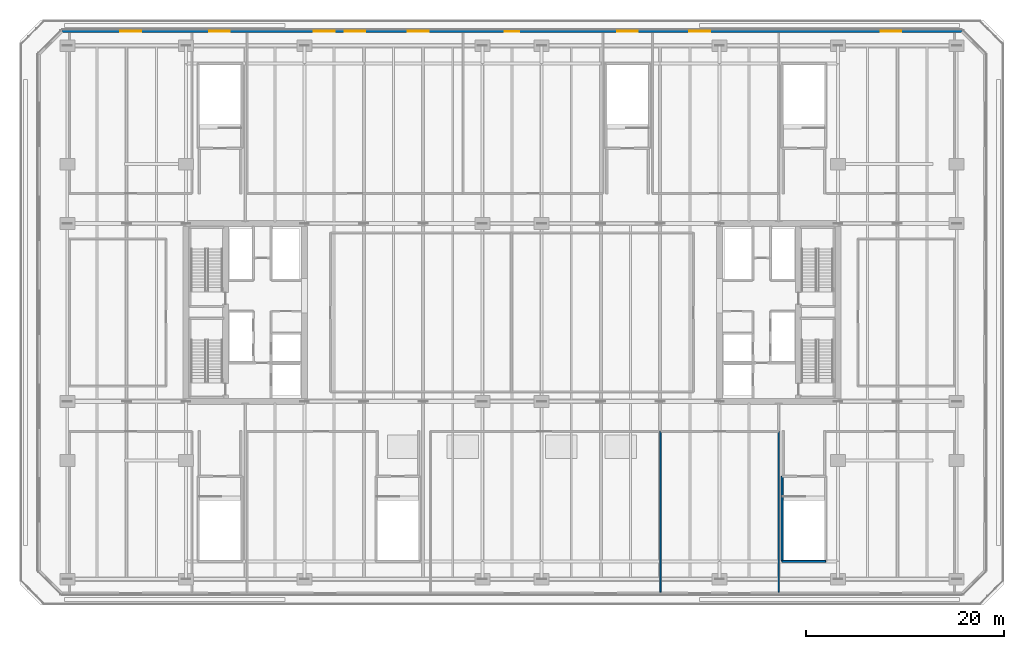
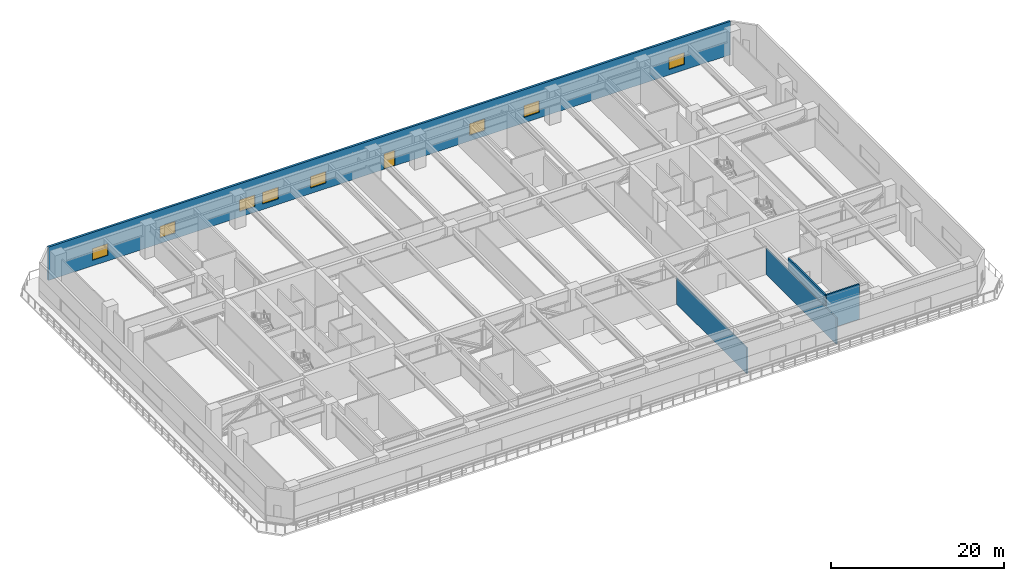
# One storey, part 13 of 25: 8 windows, 5 walls, 1 door, 9 openings.
"""IFC4 building model written with IfcOpenShell, lengths in metres."""

from ifc_helpers import new_model, si_unit, direction, frame, frame_2d, origin, place, context, subcontext, project, spatial, rectangle, extrude, material, layer, layer_set, type_object, element, fill, save


model = new_model("IFC4")

# Units and contexts
model_context = context("Model", 3, precision=1e-05, world=origin(), true_north=direction((0.0, 1.0)))
body_context = subcontext(model_context, "Body", "Model", "MODEL_VIEW")
ifc_project = project(units=[si_unit("LENGTHUNIT", "METRE"), si_unit("AREAUNIT", "SQUARE_METRE"), si_unit("VOLUMEUNIT", "CUBIC_METRE"), si_unit("PLANEANGLEUNIT", "RADIAN"), si_unit("MASSUNIT", "GRAM", prefix="KILO")], contexts=[model_context])

# Site, building, storey
site_placement = place(None, origin())
site = spatial("IfcSite", under=ifc_project, at=site_placement, CompositionType="ELEMENT")
building_placement = place(site_placement, origin())
building = spatial("IfcBuilding", under=site, at=building_placement, Name="Tanjung Sevakor Pilgrim Tower", CompositionType="ELEMENT")
storey_placement = place(building_placement, frame((0.0, 0.0, 24.090087890625)))
storey = spatial("IfcBuildingStorey", under=building, at=storey_placement, Name="L06", CompositionType="ELEMENT", Elevation=24.090087890625)

# Walls
ifc_material_1 = material(Name="Concrete C40/50", Category="concrete")
ifc_layer_1 = layer(ifc_material_1, 0.14990234375)
ifc_layer_set_1 = layer_set([ifc_layer_1], Name="WT-COMP-150")
wall_type_1 = type_object("IfcWallType", Name="WT-COMP-150", PredefinedType="SOLIDWALL", material=ifc_layer_set_1)
for number, where, z_axis, x_axis, name in (
    (1, (72.050048828125, 5.280029296875, 0.0), (0.0, 0.0, 1.0), (0.0, 1.0, 0.0), "L06 Partition IW-L06-043"),
    (2, (84.0, 5.280029296875, 0.0), (0.0, 0.0, 1.0), (0.0, 1.0, 0.0), "L06 Partition IW-L06-045"),
):
    element("IfcWall", number, at=place(storey_placement, frame(where, z_axis=z_axis, x_axis=x_axis)), inside=storey, type_object=wall_type_1, Name=name, PredefinedType="SOLIDWALL", context=body_context, shape_type="SweptSolid", body=[
        extrude(rectangle(XDim=16.27001953125, YDim=0.14990234375, at=frame_2d((8.135009765625, 0.0))), origin(), (0.0, 0.0, 1.0), 3.68701171875),
    ])

# Wall, openings, door, windows
ifc_material_2 = material(Name="Precast concrete C45/55", Category="concrete")
ifc_layer_2 = layer(ifc_material_2, 0.280029296875)
ifc_layer_set_2 = layer_set([ifc_layer_2], Name="WT-EW-STN2")
wall_type_2 = type_object("IfcWallType", Name="WT-EW-STN2", PredefinedType="SOLIDWALL", material=ifc_layer_set_2)
wall_1_placement = place(storey_placement, frame((102.5419921875, 62.06005859375, 0.0), z_axis=(0.0, 0.0, 1.0), x_axis=(-1.0, 0.0, 0.0)))
wall_1 = element("IfcWall", 3, at=wall_1_placement, inside=storey, type_object=wall_type_2, Name="L06 MAIN Exterior Wall 5", PredefinedType="SOLIDWALL", context=body_context, shape_type="SweptSolid", body=[
    extrude(rectangle(XDim=91.083984375, YDim=0.280029296875, at=frame_2d((45.5419921875, 0.0))), origin(), (0.0, 0.0, 1.0), 4.7099609375),
])
opening_1_placement = place(wall_1_placement, frame((44.7919921875, 0.0, 0.0)))
opening_1 = element("IfcOpeningElement", 4, at=opening_1_placement, cuts=wall_1, Name="Opening ED-TER-1500", PredefinedType="OPENING", context=body_context, shape_type="SweptSolid", body=[
    extrude(rectangle(XDim=1.5, YDim=2.199951171875, at=frame_2d((0.75, 1.10009765625))), frame((0.0, 0.14990234375, 0.0), z_axis=(0.0, -1.0, 0.0), x_axis=(1.0, 0.0, 0.0)), (0.0, 0.0, 1.0), 0.300048828125),
])
opening_2_placement = place(wall_1_placement, frame((60.39208984375, 0.0, 0.780029296875)))
opening_2 = element("IfcOpeningElement", 5, at=opening_2_placement, cuts=wall_1, Name="Opening WN-P2-1660", PredefinedType="OPENING", context=body_context, shape_type="SweptSolid", body=[
    extrude(rectangle(XDim=2.10009765625, YDim=1.659912109375, at=frame_2d((1.050048828125, 0.830078125))), frame((0.0, 0.14990234375, 0.0), z_axis=(0.0, -1.0, 0.0), x_axis=(1.0, 0.0, 0.0)), (0.0, 0.0, 1.0), 0.300048828125),
])
opening_3_placement = place(wall_1_placement, frame((25.491943359375, 0.0, 0.780029296875)))
opening_3 = element("IfcOpeningElement", 6, at=opening_3_placement, cuts=wall_1, Name="Opening WN-P2-1660", PredefinedType="OPENING", context=body_context, shape_type="SweptSolid", body=[
    extrude(rectangle(XDim=2.10009765625, YDim=1.659912109375, at=frame_2d((1.050048828125, 0.830078125))), frame((0.0, 0.14990234375, 0.0), z_axis=(0.0, -1.0, 0.0), x_axis=(1.0, 0.0, 0.0)), (0.0, 0.0, 1.0), 0.300048828125),
])
opening_4_placement = place(wall_1_placement, frame((83.092041015625, 0.0, 0.780029296875)))
opening_4 = element("IfcOpeningElement", 7, at=opening_4_placement, cuts=wall_1, Name="Opening WN-P2-1660", PredefinedType="OPENING", context=body_context, shape_type="SweptSolid", body=[
    extrude(rectangle(XDim=2.10009765625, YDim=1.659912109375, at=frame_2d((1.050048828125, 0.830078125))), frame((0.0, 0.14990234375, 0.0), z_axis=(0.0, -1.0, 0.0), x_axis=(1.0, 0.0, 0.0)), (0.0, 0.0, 1.0), 0.300048828125),
])
opening_5_placement = place(wall_1_placement, frame((6.14208984375, 0.0, 0.780029296875)))
opening_5 = element("IfcOpeningElement", 8, at=opening_5_placement, cuts=wall_1, Name="Opening WN-P2-1660", PredefinedType="OPENING", context=body_context, shape_type="SweptSolid", body=[
    extrude(rectangle(XDim=2.10009765625, YDim=1.659912109375, at=frame_2d((1.050048828125, 0.830078125))), frame((0.0, 0.14990234375, 0.0), z_axis=(0.0, -1.0, 0.0), x_axis=(1.0, 0.0, 0.0)), (0.0, 0.0, 1.0), 0.300048828125),
])
opening_6_placement = place(wall_1_placement, frame((32.7919921875, 0.0, 0.780029296875)))
opening_6 = element("IfcOpeningElement", 9, at=opening_6_placement, cuts=wall_1, Name="Opening WN-P2-1660", PredefinedType="OPENING", context=body_context, shape_type="SweptSolid", body=[
    extrude(rectangle(XDim=2.10009765625, YDim=1.659912109375, at=frame_2d((1.050048828125, 0.830078125))), frame((0.0, 0.14990234375, 0.0), z_axis=(0.0, -1.0, 0.0), x_axis=(1.0, 0.0, 0.0)), (0.0, 0.0, 1.0), 0.300048828125),
])
opening_7_placement = place(wall_1_placement, frame((74.092041015625, 0.0, 0.780029296875)))
opening_7 = element("IfcOpeningElement", 10, at=opening_7_placement, cuts=wall_1, Name="Opening WN-P2-1660", PredefinedType="OPENING", context=body_context, shape_type="SweptSolid", body=[
    extrude(rectangle(XDim=2.10009765625, YDim=1.659912109375, at=frame_2d((1.050048828125, 0.830078125))), frame((0.0, 0.14990234375, 0.0), z_axis=(0.0, -1.0, 0.0), x_axis=(1.0, 0.0, 0.0)), (0.0, 0.0, 1.0), 0.300048828125),
])
opening_8_placement = place(wall_1_placement, frame((53.991943359375, 0.0, 0.780029296875)))
opening_8 = element("IfcOpeningElement", 11, at=opening_8_placement, cuts=wall_1, Name="Opening WN-P2-1660", PredefinedType="OPENING", context=body_context, shape_type="SweptSolid", body=[
    extrude(rectangle(XDim=2.10009765625, YDim=1.659912109375, at=frame_2d((1.050048828125, 0.830078125))), frame((0.0, 0.14990234375, 0.0), z_axis=(0.0, -1.0, 0.0), x_axis=(1.0, 0.0, 0.0)), (0.0, 0.0, 1.0), 0.300048828125),
])
opening_9_placement = place(wall_1_placement, frame((63.491943359375, 0.0, 0.780029296875)))
opening_9 = element("IfcOpeningElement", 12, at=opening_9_placement, cuts=wall_1, Name="Opening WN-P2-1660", PredefinedType="OPENING", context=body_context, shape_type="SweptSolid", body=[
    extrude(rectangle(XDim=2.10009765625, YDim=1.659912109375, at=frame_2d((1.050048828125, 0.830078125))), frame((0.0, 0.14990234375, 0.0), z_axis=(0.0, -1.0, 0.0), x_axis=(1.0, 0.0, 0.0)), (0.0, 0.0, 1.0), 0.300048828125),
])
ifc_material_3 = material(Name="Anodised Aluminium and Laminated Glass", Category="aluminium")
door_type = type_object("IfcDoorType", Name="DTYP-ED-TER-1500", OperationType="DOUBLE_DOOR_SINGLE_SWING", PredefinedType="DOOR", material=ifc_material_3)
door_placement = place(opening_1_placement, frame((1.5, 0.0, 0.0), z_axis=(0.0, 0.0, 1.0), x_axis=(-1.0, 0.0, 0.0)))
door = element("IfcDoor", 13, at=door_placement, inside=storey, type_object=door_type, Name="L06 Cascade Terrace Door N", OperationType="SINGLE_SWING_LEFT", OverallHeight=2.199951171875, OverallWidth=1.5, PredefinedType="DOOR", context=body_context, shape_type="SweptSolid", body=[
    extrude(rectangle(XDim=1.5, YDim=2.199951171875, at=frame_2d((0.75, 1.10009765625))), frame((0.0, 0.02490234375, 0.0), z_axis=(0.0, -1.0, 0.0), x_axis=(1.0, 0.0, 0.0)), (0.0, 0.0, 1.0), 0.050048828125),
])
fill(opening_1, door)
ifc_material_4 = material(Name="Thermally Broken Aluminium and Low-E Glass", Category="aluminium")
window_type = type_object("IfcWindowType", Name="WTYP-WN-P2-1660", PartitioningType="DOUBLE_PANEL_VERTICAL", PredefinedType="WINDOW", material=ifc_material_4)
window_1_placement = place(opening_2_placement, origin())
window_1 = element("IfcWindow", 14, at=window_1_placement, inside=storey, type_object=window_type, Name="L06 Facade Window 01", OverallHeight=1.659912109375, OverallWidth=2.10009765625, PartitioningType="SINGLE_PANEL", PredefinedType="WINDOW", context=body_context, shape_type="SweptSolid", body=[
    extrude(rectangle(XDim=2.10009765625, YDim=1.659912109375, at=frame_2d((1.050048828125, 0.830078125))), frame((0.0, 0.030029296875, 0.0), z_axis=(0.0, -1.0, 0.0), x_axis=(1.0, 0.0, 0.0)), (0.0, 0.0, 1.0), 0.06005859375),
])
fill(opening_2, window_1)
window_2_placement = place(opening_3_placement, origin())
window_2 = element("IfcWindow", 15, at=window_2_placement, inside=storey, type_object=window_type, Name="L06 Facade Window 02", OverallHeight=1.659912109375, OverallWidth=2.10009765625, PartitioningType="SINGLE_PANEL", PredefinedType="WINDOW", context=body_context, shape_type="SweptSolid", body=[
    extrude(rectangle(XDim=2.10009765625, YDim=1.659912109375, at=frame_2d((1.050048828125, 0.830078125))), frame((0.0, 0.030029296875, 0.0), z_axis=(0.0, -1.0, 0.0), x_axis=(1.0, 0.0, 0.0)), (0.0, 0.0, 1.0), 0.06005859375),
])
fill(opening_3, window_2)
window_3_placement = place(opening_4_placement, origin())
window_3 = element("IfcWindow", 16, at=window_3_placement, inside=storey, type_object=window_type, Name="L06 Facade Window 03", OverallHeight=1.659912109375, OverallWidth=2.10009765625, PartitioningType="SINGLE_PANEL", PredefinedType="WINDOW", context=body_context, shape_type="SweptSolid", body=[
    extrude(rectangle(XDim=2.10009765625, YDim=1.659912109375, at=frame_2d((1.050048828125, 0.830078125))), frame((0.0, 0.030029296875, 0.0), z_axis=(0.0, -1.0, 0.0), x_axis=(1.0, 0.0, 0.0)), (0.0, 0.0, 1.0), 0.06005859375),
])
fill(opening_4, window_3)
window_4_placement = place(opening_5_placement, origin())
window_4 = element("IfcWindow", 17, at=window_4_placement, inside=storey, type_object=window_type, Name="L06 Facade Window 04", OverallHeight=1.659912109375, OverallWidth=2.10009765625, PartitioningType="SINGLE_PANEL", PredefinedType="WINDOW", context=body_context, shape_type="SweptSolid", body=[
    extrude(rectangle(XDim=2.10009765625, YDim=1.659912109375, at=frame_2d((1.050048828125, 0.830078125))), frame((0.0, 0.030029296875, 0.0), z_axis=(0.0, -1.0, 0.0), x_axis=(1.0, 0.0, 0.0)), (0.0, 0.0, 1.0), 0.06005859375),
])
fill(opening_5, window_4)
window_5_placement = place(opening_6_placement, origin())
window_5 = element("IfcWindow", 18, at=window_5_placement, inside=storey, type_object=window_type, Name="L06 Facade Window 05", OverallHeight=1.659912109375, OverallWidth=2.10009765625, PartitioningType="SINGLE_PANEL", PredefinedType="WINDOW", context=body_context, shape_type="SweptSolid", body=[
    extrude(rectangle(XDim=2.10009765625, YDim=1.659912109375, at=frame_2d((1.050048828125, 0.830078125))), frame((0.0, 0.030029296875, 0.0), z_axis=(0.0, -1.0, 0.0), x_axis=(1.0, 0.0, 0.0)), (0.0, 0.0, 1.0), 0.06005859375),
])
fill(opening_6, window_5)
window_6_placement = place(opening_7_placement, origin())
window_6 = element("IfcWindow", 19, at=window_6_placement, inside=storey, type_object=window_type, Name="L06 Facade Window 06", OverallHeight=1.659912109375, OverallWidth=2.10009765625, PartitioningType="SINGLE_PANEL", PredefinedType="WINDOW", context=body_context, shape_type="SweptSolid", body=[
    extrude(rectangle(XDim=2.10009765625, YDim=1.659912109375, at=frame_2d((1.050048828125, 0.830078125))), frame((0.0, 0.030029296875, 0.0), z_axis=(0.0, -1.0, 0.0), x_axis=(1.0, 0.0, 0.0)), (0.0, 0.0, 1.0), 0.06005859375),
])
fill(opening_7, window_6)
window_7_placement = place(opening_8_placement, origin())
window_7 = element("IfcWindow", 20, at=window_7_placement, inside=storey, type_object=window_type, Name="L06 Facade Window 07", OverallHeight=1.659912109375, OverallWidth=2.10009765625, PartitioningType="SINGLE_PANEL", PredefinedType="WINDOW", context=body_context, shape_type="SweptSolid", body=[
    extrude(rectangle(XDim=2.10009765625, YDim=1.659912109375, at=frame_2d((1.050048828125, 0.830078125))), frame((0.0, 0.030029296875, 0.0), z_axis=(0.0, -1.0, 0.0), x_axis=(1.0, 0.0, 0.0)), (0.0, 0.0, 1.0), 0.06005859375),
])
fill(opening_8, window_7)
window_8_placement = place(opening_9_placement, origin())
window_8 = element("IfcWindow", 21, at=window_8_placement, inside=storey, type_object=window_type, Name="L06 Facade Window 08", OverallHeight=1.659912109375, OverallWidth=2.10009765625, PartitioningType="SINGLE_PANEL", PredefinedType="WINDOW", context=body_context, shape_type="SweptSolid", body=[
    extrude(rectangle(XDim=2.10009765625, YDim=1.659912109375, at=frame_2d((1.050048828125, 0.830078125))), frame((0.0, 0.030029296875, 0.0), z_axis=(0.0, -1.0, 0.0), x_axis=(1.0, 0.0, 0.0)), (0.0, 0.0, 1.0), 0.06005859375),
])
fill(opening_9, window_8)

# Walls
ifc_material_5 = material(Name="Concrete C40/50", Category="concrete")
ifc_layer_3 = layer(ifc_material_5, 0.199951171875)
ifc_layer_set_3 = layer_set([ifc_layer_3], Name="WT-FIRE-200")
wall_type_3 = type_object("IfcWallType", Name="WT-FIRE-200", PredefinedType="SOLIDWALL", material=ifc_layer_set_3)
wall_2_placement = place(storey_placement, frame((84.35009765625, 8.39990234375, 0.0), z_axis=(0.0, 0.0, 1.0), x_axis=(1.0, 0.0, 0.0)))
element("IfcWall", 22, at=wall_2_placement, inside=storey, type_object=wall_type_3, Name="L06 PS-5 Shaft Wall 1", PredefinedType="SOLIDWALL", context=body_context, shape_type="SweptSolid", body=[
    extrude(rectangle(XDim=4.39990234375, YDim=0.199951171875, at=frame_2d((2.199951171875, 0.0))), origin(), (0.0, 0.0, 1.0), 4.949951171875),
])
wall_3_placement = place(storey_placement, frame((84.35009765625, 17.0, 0.0), z_axis=(0.0, 0.0, 1.0), x_axis=(0.0, -1.0, 0.0)))
element("IfcWall", 23, at=wall_3_placement, inside=storey, type_object=wall_type_3, Name="L06 PS-5 Shaft Wall 4", PredefinedType="SOLIDWALL", context=body_context, shape_type="SweptSolid", body=[
    extrude(rectangle(XDim=8.60009765625, YDim=0.199951171875, at=frame_2d((4.300048828125, 0.0))), origin(), (0.0, 0.0, 1.0), 4.949951171875),
])

save(model, "model.ifc")
